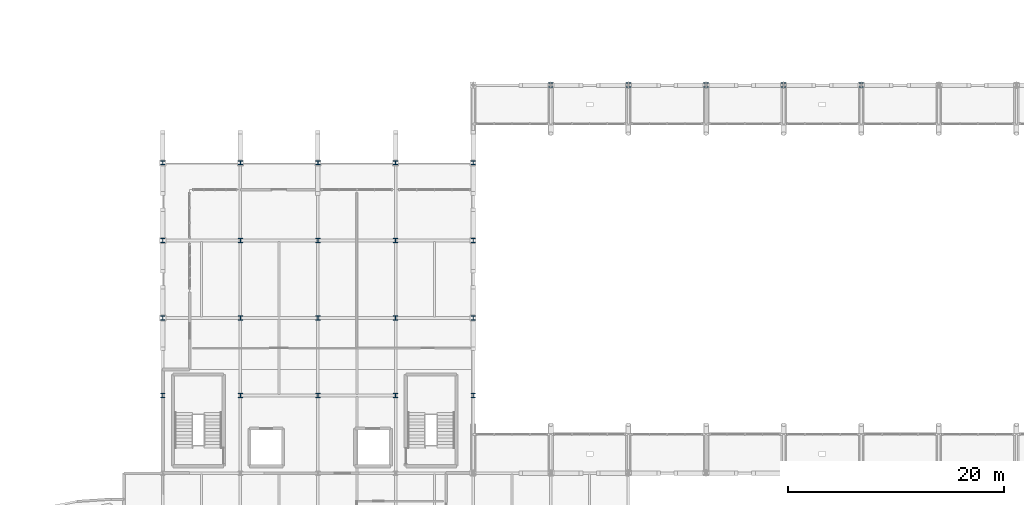
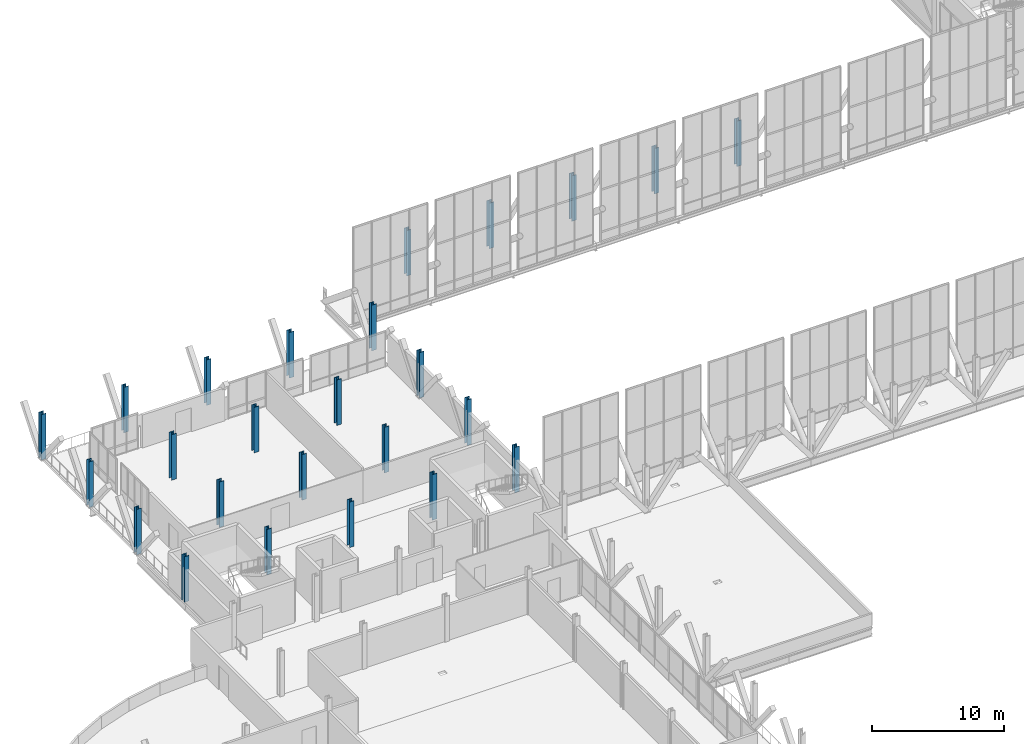
# One storey, part 3 of 102: 25 columns.
"""IFC4 building model written with IfcOpenShell, lengths in metres."""

from ifc_helpers import new_model, si_unit, direction, frame, origin, origin_2d, place, context, subcontext, project, spatial, i_section, extrude, material, material_profile, profile_set, type_object, element, save


model = new_model("IFC4")

# Units and contexts
model_context = context("Model", 3, precision=1e-05, world=origin(), true_north=direction((0.0, 1.0)))
body_context = subcontext(model_context, "Body", "Model", "MODEL_VIEW")
ifc_project = project(units=[si_unit("LENGTHUNIT", "METRE"), si_unit("AREAUNIT", "SQUARE_METRE"), si_unit("VOLUMEUNIT", "CUBIC_METRE"), si_unit("PLANEANGLEUNIT", "RADIAN"), si_unit("MASSUNIT", "GRAM", prefix="KILO")], contexts=[model_context])

# Site, building, storey
site_placement = place(None, origin())
site = spatial("IfcSite", under=ifc_project, at=site_placement, CompositionType="ELEMENT")
building_placement = place(site_placement, origin())
building = spatial("IfcBuilding", under=site, at=building_placement, Name="Yarey Park Central Fire Station", CompositionType="ELEMENT")
storey_placement = place(building_placement, frame((0.0, 0.0, 6.0)))
storey = spatial("IfcBuildingStorey", under=building, at=storey_placement, Name="L02", CompositionType="ELEMENT", Elevation=6.0)

# Columns
ifc_material = material(Name="Steel ASTM A992 Gr. 50", Category="steel")
ifc_material_profile_1 = material_profile(ifc_material, i_section(OverallWidth=0.404052734375, OverallDepth=0.406982421875, WebThickness=0.027099609375, FlangeThickness=0.043701171875, at=origin_2d()), Name="W360x347")
ifc_profile_set_1 = profile_set([ifc_material_profile_1], Name="Steel ASTM A992 Gr. 50")
column_type_1 = type_object("IfcColumnType", Name="STR_COL_W360_EXT", PredefinedType="COLUMN", material=ifc_profile_set_1)
for number, where, z_axis, x_axis, name in (
    (1, (28.800048828125, 86.39990234375, 0.0), (0.0, 0.0, 1.0), (1.0, 0.0, 0.0), "COL_L02_X288_Y864"),
    (2, (36.0, 86.39990234375, 0.0), (0.0, 0.0, 1.0), (1.0, 0.0, 0.0), "COL_L02_X360_Y864"),
    (3, (43.199951171875, 86.39990234375, 0.0), (0.0, 0.0, 1.0), (1.0, 0.0, 0.0), "COL_L02_X432_Y864"),
    (4, (50.39990234375, 86.39990234375, 0.0), (0.0, 0.0, 1.0), (1.0, 0.0, 0.0), "COL_L02_X504_Y864"),
    (5, (57.60009765625, 64.800048828125, 0.0), (0.0, 0.0, 1.0), (1.0, 0.0, 0.0), "COL_L02_X576_Y648"),
    (6, (57.60009765625, 72.0, 0.0), (0.0, 0.0, 1.0), (1.0, 0.0, 0.0), "COL_L02_X576_Y720"),
    (7, (57.60009765625, 79.199951171875, 0.0), (0.0, 0.0, 1.0), (1.0, 0.0, 0.0), "COL_L02_X576_Y792"),
    (8, (57.60009765625, 86.39990234375, 0.0), (0.0, 0.0, 1.0), (1.0, 0.0, 0.0), "COL_L02_X576_Y864"),
    (9, (64.800048828125, 93.60009765625, 0.0), (0.0, 0.0, 1.0), (1.0, 0.0, 0.0), "V2_SCR_POST_N_L02_64"),
    (10, (72.0, 93.60009765625, 0.0), (0.0, 0.0, 1.0), (1.0, 0.0, 0.0), "V2_SCR_POST_N_L02_72"),
    (11, (79.199951171875, 93.60009765625, 0.0), (0.0, 0.0, 1.0), (1.0, 0.0, 0.0), "V2_SCR_POST_N_L02_79"),
    (12, (86.39990234375, 93.60009765625, 0.0), (0.0, 0.0, 1.0), (1.0, 0.0, 0.0), "V2_SCR_POST_N_L02_86"),
    (13, (93.60009765625, 93.60009765625, 0.0), (0.0, 0.0, 1.0), (1.0, 0.0, 0.0), "V2_SCR_POST_N_L02_93"),
):
    element("IfcColumn", number, at=place(storey_placement, frame(where, z_axis=z_axis, x_axis=x_axis)), inside=storey, type_object=column_type_1, Name=name, PredefinedType="COLUMN", context=body_context, shape_type="SweptSolid", body=[
        extrude(i_section(OverallWidth=0.404052734375, OverallDepth=0.406982421875, WebThickness=0.027099609375, FlangeThickness=0.043701171875, at=origin_2d()), origin(), (0.0, 0.0, 1.0), 4.199951171875),
    ])
ifc_material_profile_2 = material_profile(ifc_material, i_section(OverallWidth=0.404052734375, OverallDepth=0.406982421875, WebThickness=0.027099609375, FlangeThickness=0.043701171875, at=origin_2d()), Name="W360x347")
ifc_profile_set_2 = profile_set([ifc_material_profile_2], Name="Steel ASTM A992 Gr. 50")
column_type_2 = type_object("IfcColumnType", Name="STR_COL_W360_INT", PredefinedType="COLUMN", material=ifc_profile_set_2)
for number, where, z_axis, x_axis, name in (
    (14, (28.800048828125, 64.800048828125, 0.0), (0.0, 0.0, 1.0), (1.0, 0.0, 0.0), "COL_L02_X288_Y648"),
    (15, (28.800048828125, 72.0, 0.0), (0.0, 0.0, 1.0), (1.0, 0.0, 0.0), "COL_L02_X288_Y720"),
    (16, (28.800048828125, 79.199951171875, 0.0), (0.0, 0.0, 1.0), (1.0, 0.0, 0.0), "COL_L02_X288_Y792"),
    (17, (36.0, 64.800048828125, 0.0), (0.0, 0.0, 1.0), (1.0, 0.0, 0.0), "COL_L02_X360_Y648"),
    (18, (36.0, 72.0, 0.0), (0.0, 0.0, 1.0), (1.0, 0.0, 0.0), "COL_L02_X360_Y720"),
    (19, (36.0, 79.199951171875, 0.0), (0.0, 0.0, 1.0), (1.0, 0.0, 0.0), "COL_L02_X360_Y792"),
    (20, (43.199951171875, 64.800048828125, 0.0), (0.0, 0.0, 1.0), (1.0, 0.0, 0.0), "COL_L02_X432_Y648"),
    (21, (43.199951171875, 72.0, 0.0), (0.0, 0.0, 1.0), (1.0, 0.0, 0.0), "COL_L02_X432_Y720"),
    (22, (43.199951171875, 79.199951171875, 0.0), (0.0, 0.0, 1.0), (1.0, 0.0, 0.0), "COL_L02_X432_Y792"),
    (23, (50.39990234375, 64.800048828125, 0.0), (0.0, 0.0, 1.0), (1.0, 0.0, 0.0), "COL_L02_X504_Y648"),
    (24, (50.39990234375, 72.0, 0.0), (0.0, 0.0, 1.0), (1.0, 0.0, 0.0), "COL_L02_X504_Y720"),
    (25, (50.39990234375, 79.199951171875, 0.0), (0.0, 0.0, 1.0), (1.0, 0.0, 0.0), "COL_L02_X504_Y792"),
):
    element("IfcColumn", number, at=place(storey_placement, frame(where, z_axis=z_axis, x_axis=x_axis)), inside=storey, type_object=column_type_2, Name=name, PredefinedType="COLUMN", context=body_context, shape_type="SweptSolid", body=[
        extrude(i_section(OverallWidth=0.404052734375, OverallDepth=0.406982421875, WebThickness=0.027099609375, FlangeThickness=0.043701171875, at=origin_2d()), origin(), (0.0, 0.0, 1.0), 4.199951171875),
    ])

save(model, "model.ifc")
